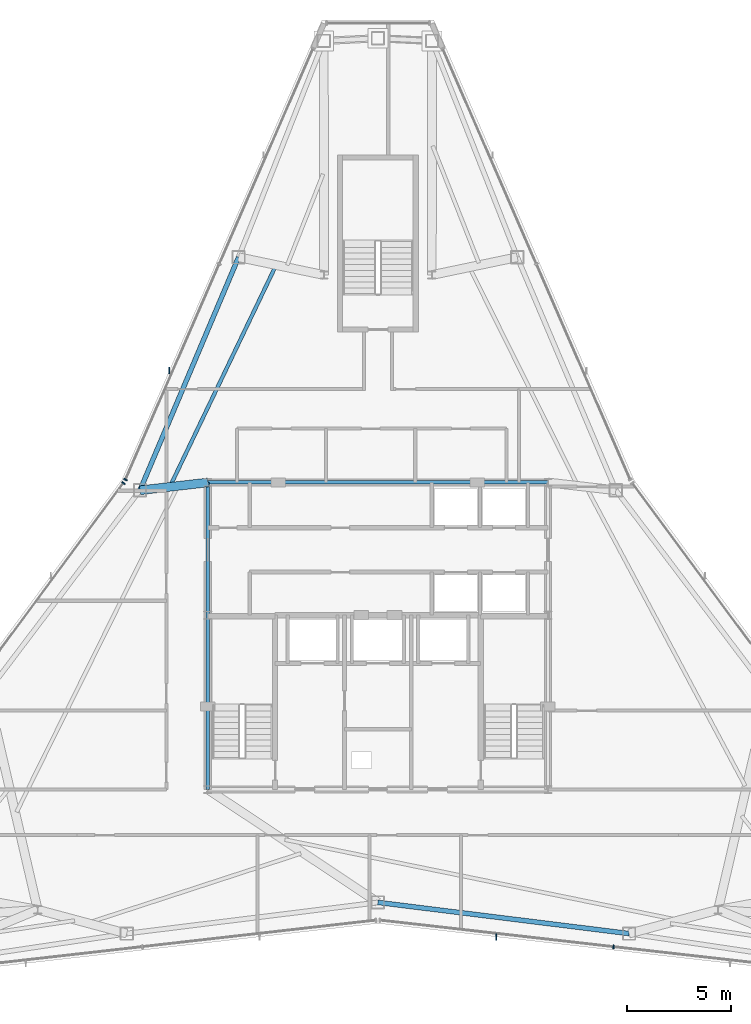
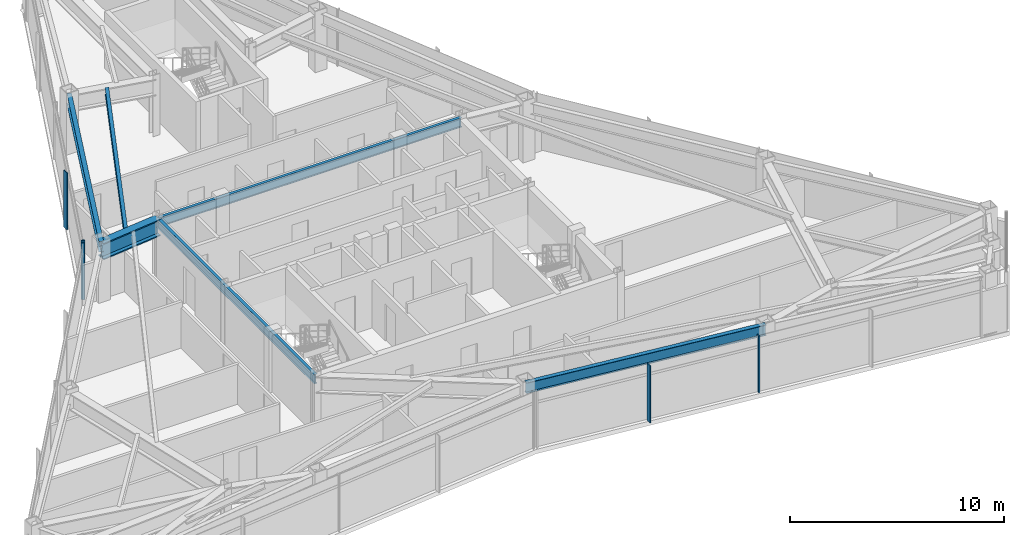
# One storey, part 5 of 12: 6 beams, 5 members, 3 elements without a shape of their own.
"""IFC4 building model written with IfcOpenShell, lengths in metres."""

import ifcopenshell
import ifcopenshell.guid

model = None  # the IFC model being written
_history = None  # IfcOwnerHistory: only IFC2X3 demands one
_inside = {}  # id of a spatial element -> (the spatial element, [elements in it])
_under = {}  # id of a project, library or spatial element -> (it, [spatial elements below it])
_declared = {}  # id of a project -> (the project, [libraries it declares])
_typed = {}  # id of a type object -> (the type object, [elements of that type])
_made_of = {}  # id of a material, layer set ... -> (it, [elements and type objects made of it])


def new_model(schema):
    """Start an empty IFC model of exactly this schema.

    Asked for "IFC4X3", IfcOpenShell would pick the latest addendum, in which some entities
    have other attributes; the version numbers below select the first issue.
    IFC2X3 requires an IfcOwnerHistory on every rooted entity: one is made here for all.
    """
    global model, _history
    if schema == "IFC4X3":
        model = ifcopenshell.file(schema_version=(4, 3, 0, 0))
    else:
        model = ifcopenshell.file(schema=schema)
    _inside.clear()
    _under.clear()
    _declared.clear()
    _typed.clear()
    _made_of.clear()
    _history = None
    if model.schema == "IFC2X3":
        org = make("IfcOrganization", Name="unknown")
        user = make(
            "IfcPersonAndOrganization",
            ThePerson=make("IfcPerson", FamilyName="unknown"),
            TheOrganization=org,
        )
        app = make(
            "IfcApplication",
            ApplicationDeveloper=org,
            Version="unknown",
            ApplicationFullName="unknown",
            ApplicationIdentifier="unknown",
        )
        _history = make(
            "IfcOwnerHistory",
            OwningUser=user,
            OwningApplication=app,
            ChangeAction="ADDED",
            CreationDate=0,
        )
    return model


def make(cls, **values):
    """One entity of the class cls with the attributes given. An attribute that is None is left unset."""
    return model.create_entity(
        cls, **{name: value for name, value in values.items() if value is not None}
    )


def rooted(cls, **values):
    """An entity with a GlobalId (a new one), such as an element, a storey or a relation."""
    return make(cls, GlobalId=ifcopenshell.guid.new(), OwnerHistory=_history, **values)


def si_unit(unit_type, name, prefix=None):
    """IfcSIUnit, for example si_unit("LENGTHUNIT", "METRE", prefix="MILLI")."""
    return make("IfcSIUnit", UnitType=unit_type, Prefix=prefix, Name=name)


def assignment(units):
    """IfcUnitAssignment: the units of a project."""
    return None if units is None else make("IfcUnitAssignment", Units=units)


def point(xyz):
    """IfcCartesianPoint."""
    return None if xyz is None else make("IfcCartesianPoint", Coordinates=xyz)


def direction(xyz):
    """IfcDirection."""
    return None if xyz is None else make("IfcDirection", DirectionRatios=xyz)


def frame(location, z_axis=None, x_axis=None):
    """IfcAxis2Placement3D, a coordinate frame: its origin and axes. An axis left out is left unset."""
    return make(
        "IfcAxis2Placement3D",
        Location=point(location),
        Axis=direction(z_axis),
        RefDirection=direction(x_axis),
    )


def frame_2d(location, x_axis=None):
    """IfcAxis2Placement2D, a coordinate frame in the plane: its origin and x axis."""
    return make(
        "IfcAxis2Placement2D", Location=point(location), RefDirection=direction(x_axis)
    )


def origin():
    """The frame at (0, 0, 0) with its axes left unset."""
    return frame((0.0, 0.0, 0.0))


def origin_2d():
    """The frame at (0, 0) in the plane with its x axis left unset."""
    return frame_2d((0.0, 0.0))


def place(relative_to, where):
    """IfcLocalPlacement: puts the frame where relative to a parent placement (None: the world)."""
    return make(
        "IfcLocalPlacement", PlacementRelTo=relative_to, RelativePlacement=where
    )


def context(
    kind, dimensions, precision=None, world=None, true_north=None, identifier=None
):
    """IfcGeometricRepresentationContext, for example the 3D "Model" context."""
    return make(
        "IfcGeometricRepresentationContext",
        ContextIdentifier=identifier,
        ContextType=kind,
        CoordinateSpaceDimension=dimensions,
        Precision=precision,
        WorldCoordinateSystem=world,
        TrueNorth=true_north,
    )


def subcontext(parent, identifier, kind, view, scale=None):
    """IfcGeometricRepresentationSubContext, for example "Body" below "Model"."""
    return make(
        "IfcGeometricRepresentationSubContext",
        ContextIdentifier=identifier,
        ContextType=kind,
        ParentContext=parent,
        TargetScale=scale,
        TargetView=view,
    )


def project(units=None, contexts=None):
    """IfcProject with its units and contexts."""
    return rooted(
        "IfcProject",
        Name="project",
        RepresentationContexts=contexts,
        UnitsInContext=assignment(units),
    )


def spatial(cls, under=None, at=None, **own):
    """A site, building, storey or space (cls), placed at a placement, below another one or the project."""
    s = rooted(cls, ObjectPlacement=at, **own)
    if under is not None:
        _under.setdefault(under.id(), (under, []))[1].append(s)
    return s


def profile(cls, at=None, kind="AREA", **sizes):
    """A parametric profile (cls). Its sizes go by their IFC names, for example OverallWidth=200.0."""
    return make(cls, ProfileType=kind, Position=at, **sizes)


def rectangle(**sizes):
    """IfcRectangleProfileDef."""
    return profile("IfcRectangleProfileDef", **sizes)


def i_section(**sizes):
    """IfcIShapeProfileDef."""
    return profile("IfcIShapeProfileDef", **sizes)


def extrude(swept, where, along, depth):
    """IfcExtrudedAreaSolid: the profile swept, set in the frame where, extruded along a direction by depth."""
    return make(
        "IfcExtrudedAreaSolid",
        SweptArea=swept,
        Position=where,
        ExtrudedDirection=direction(along),
        Depth=depth,
    )


def shape(context_of_items, identifier, shape_type, items):
    """IfcShapeRepresentation: the items that make up one representation, for example the "Body"."""
    return make(
        "IfcShapeRepresentation",
        ContextOfItems=context_of_items,
        RepresentationIdentifier=identifier,
        RepresentationType=shape_type,
        Items=items,
    )


def source(mapping_origin, context_of_items, identifier, shape_type, items):
    """IfcRepresentationMap: a shape defined once, which mapped items show again and again."""
    return make(
        "IfcRepresentationMap",
        MappingOrigin=mapping_origin,
        MappedRepresentation=shape(context_of_items, identifier, shape_type, items),
    )


def transform(
    local_origin,
    x_axis=None,
    y_axis=None,
    z_axis=None,
    scale=None,
    scale2=None,
    scale3=None,
    uniform=True,
):
    """IfcCartesianTransformationOperator3D, or its non-uniform kind. x_axis, y_axis, z_axis: its Axis1, 2, 3."""
    if uniform:
        return make(
            "IfcCartesianTransformationOperator3D",
            Axis1=direction(x_axis),
            Axis2=direction(y_axis),
            LocalOrigin=point(local_origin),
            Scale=scale,
            Axis3=direction(z_axis),
        )
    return make(
        "IfcCartesianTransformationOperator3DnonUniform",
        Axis1=direction(x_axis),
        Axis2=direction(y_axis),
        LocalOrigin=point(local_origin),
        Scale=scale,
        Axis3=direction(z_axis),
        Scale2=scale2,
        Scale3=scale3,
    )


def mapped(mapping_source, mapping_target):
    """IfcMappedItem: shows the shape of a source again, moved by a transform."""
    return make(
        "IfcMappedItem", MappingSource=mapping_source, MappingTarget=mapping_target
    )


def material(Name=None, Category=None):
    """IfcMaterial."""
    return make("IfcMaterial", Name=Name, Category=Category)


def layer(
    of_material, thickness, ventilated=None, Name=None, Category=None, Priority=None
):
    """IfcMaterialLayer: one layer of a wall or slab, of a material (None: an air gap)."""
    return make(
        "IfcMaterialLayer",
        Material=of_material,
        LayerThickness=thickness,
        IsVentilated=ventilated,
        Name=Name,
        Category=Category,
        Priority=Priority,
    )


def layer_set(layers, Name=None):
    """IfcMaterialLayerSet."""
    return make("IfcMaterialLayerSet", MaterialLayers=layers, LayerSetName=Name)


def material_profile(
    of_material, cross_section, Name=None, Category=None, Priority=None
):
    """IfcMaterialProfile: a cross section and its material."""
    return make(
        "IfcMaterialProfile",
        Name=Name,
        Material=of_material,
        Profile=cross_section,
        Priority=Priority,
        Category=Category,
    )


def profile_set(profiles, Name=None, composite=None):
    """IfcMaterialProfileSet."""
    return make(
        "IfcMaterialProfileSet",
        Name=Name,
        MaterialProfiles=profiles,
        CompositeProfile=composite,
    )


def made_of(thing, what):
    """Note that an element or type object is made of a material, layer set ...; save() writes the relation."""
    if what is not None:
        _made_of.setdefault(what.id(), (what, []))[1].append(thing)
    return thing


def type_object(cls, material=None, **own):
    """A type object (cls), such as IfcWallType, which elements share."""
    return made_of(rooted(cls, **own), material)


def type_shapes(of_type, sources):
    """Give a type object the sources (RepresentationMaps) that its elements show as mapped items."""
    of_type.RepresentationMaps = sources


def element(
    cls,
    number,
    at=None,
    inside=None,
    cuts=None,
    type_object=None,
    material=None,
    context=None,
    identifier="Body",
    shape_type=None,
    held_by="IfcProductDefinitionShape",
    body=None,
    shapes=None,
    **own,
):
    """One element of the class cls, such as IfcWall. Its Tag is "e" and its number.

    at: its placement. inside: the storey or other place that contains it. cuts: it is an
    opening in that element (IfcRelVoidsElement). A single representation is given by context,
    identifier, shape_type and body (its items); several are given by shapes. held_by: the class
    of the entity that holds the representations. save() writes the other relations.
    """
    e = rooted(cls, Tag="e%d" % number, ObjectPlacement=at, **own)
    if body is not None:
        shapes = [shape(context, identifier, shape_type, body)]
    if shapes is not None:
        e.Representation = make(held_by, Representations=shapes)
    if inside is not None:
        _inside.setdefault(inside.id(), (inside, []))[1].append(e)
    if cuts is not None:
        rooted(
            "IfcRelVoidsElement", RelatingBuildingElement=cuts, RelatedOpeningElement=e
        )
    if type_object is not None:
        _typed.setdefault(type_object.id(), (type_object, []))[1].append(e)
    return made_of(e, material)


def aggregate(whole, parts):
    """IfcRelAggregates: a whole, such as a stair, and the parts it consists of."""
    return rooted("IfcRelAggregates", RelatingObject=whole, RelatedObjects=parts)


def save(model, path):
    """Write the relations noted so far, then the file.

    IfcRelAggregates (storeys below a building ...), IfcRelContainedInSpatialStructure (elements
    in a storey), IfcRelDefinesByType, IfcRelAssociatesMaterial and IfcRelDeclares: one each for
    every whole, place, type object, material and project.
    """
    for whole, parts in _under.values():
        aggregate(whole, parts)
    for where, things in _inside.values():
        rooted(
            "IfcRelContainedInSpatialStructure",
            RelatedElements=things,
            RelatingStructure=where,
        )
    for kind, things in _typed.values():
        rooted("IfcRelDefinesByType", RelatedObjects=things, RelatingType=kind)
    for what, things in _made_of.values():
        rooted("IfcRelAssociatesMaterial", RelatedObjects=things, RelatingMaterial=what)
    for by, libraries in _declared.values():
        rooted("IfcRelDeclares", RelatingContext=by, RelatedDefinitions=libraries)
    model.write(path)


model = new_model("IFC4")

# Units and contexts
model_context = context("Model", 3, precision=1e-05, world=origin(), true_north=direction((0.0, 1.0)))
body_context = subcontext(model_context, "Body", "Model", "MODEL_VIEW")
ifc_project = project(units=[si_unit("LENGTHUNIT", "METRE"), si_unit("AREAUNIT", "SQUARE_METRE"), si_unit("VOLUMEUNIT", "CUBIC_METRE"), si_unit("PLANEANGLEUNIT", "RADIAN"), si_unit("MASSUNIT", "GRAM", prefix="KILO")], contexts=[model_context])

# Site, building, storey
site_placement = place(None, origin())
site = spatial("IfcSite", under=ifc_project, at=site_placement, CompositionType="ELEMENT")
building_placement = place(site_placement, origin())
building = spatial("IfcBuilding", under=site, at=building_placement, Name="Varakhsha Concourse Tower", CompositionType="ELEMENT")
storey_placement = place(building_placement, frame((0.0, 0.0, 276.0)))
storey = spatial("IfcBuildingStorey", under=building, at=storey_placement, Name="L78", CompositionType="ELEMENT", Elevation=276.0)

# Beams
ifc_material_1 = material(Name="Structural Steel ASTM A992 Grade 50", Category="steel")
ifc_material_profile_1 = material_profile(ifc_material_1, i_section(OverallWidth=0.177978515625, OverallDepth=0.406982421875, WebThickness=0.008056640625, FlangeThickness=0.012939453125, at=origin_2d()), Name="W16X40")
ifc_profile_set_1 = profile_set([ifc_material_profile_1], Name="Structural Steel ASTM A992 Grade 50")
beam_type_1 = type_object("IfcBeamType", Name="BM-JST-W16X40", PredefinedType="JOIST", material=ifc_profile_set_1)
beam_1_placement = place(storey_placement, frame((35.046875, 41.58349609375, 3.04638671875), z_axis=(-0.432292540768, -0.901733419141, 0.0), x_axis=(0.901733419141, -0.432292540768, 0.0)))
element("IfcBeam", 1, at=beam_1_placement, inside=storey, type_object=beam_type_1, Name="BM-TJST-L78-04", PredefinedType="JOIST", context=body_context, shape_type="SweptSolid", body=[
    extrude(i_section(OverallWidth=0.177978515625, OverallDepth=0.406982421875, WebThickness=0.008056640625, FlangeThickness=0.012939453125, at=origin_2d()), origin(), (0.0, 0.0, 1.0), 11.63916015625),
])
ifc_material_profile_2 = material_profile(ifc_material_1, i_section(OverallWidth=0.423095703125, OverallDepth=0.947998046875, WebThickness=0.0380859375, FlangeThickness=0.06396484375, at=origin_2d()), Name="W36X302")
ifc_profile_set_2 = profile_set([ifc_material_profile_2], Name="Structural Steel ASTM A992 Grade 50")
beam_type_2 = type_object("IfcBeamType", Name="BM-OUTR-W36X302", PredefinedType="USERDEFINED", material=ifc_profile_set_2)
beam_2_placement = place(storey_placement, frame((31.800048828125, 31.199951171875, 2.77587890625), z_axis=(-0.993437473309, -0.114376512559, 0.0), x_axis=(0.114376512559, -0.993437473309, 0.0)))
element("IfcBeam", 2, at=beam_2_placement, inside=storey, type_object=beam_type_2, Name="L78 Radial Floor Girder 05", ObjectType="GIRDER", PredefinedType="USERDEFINED", context=body_context, shape_type="SweptSolid", body=[
    extrude(i_section(OverallWidth=0.423095703125, OverallDepth=0.947998046875, WebThickness=0.0380859375, FlangeThickness=0.06396484375, at=origin_2d()), origin(), (0.0, 0.0, 1.0), 3.293701171875),
])
ifc_material_profile_3 = material_profile(ifc_material_1, i_section(OverallWidth=0.1669921875, OverallDepth=0.534912109375, WebThickness=0.010009765625, FlangeThickness=0.01708984375, at=origin_2d()), Name="W21X57")
ifc_profile_set_3 = profile_set([ifc_material_profile_3], Name="Structural Steel ASTM A992 Grade 50")
beam_type_3 = type_object("IfcBeamType", Name="BM-RAD-W21X57", PredefinedType="BEAM", material=ifc_profile_set_3)
beam_3_placement = place(storey_placement, frame((31.800048828125, 31.199951171875, 2.982421875), z_axis=(1.0, 0.0, 0.0), x_axis=(0.0, 1.0, 0.0)))
element("IfcBeam", 3, at=beam_3_placement, inside=storey, type_object=beam_type_3, Name="BM-TCORE-L78-CN", PredefinedType="BEAM", context=body_context, shape_type="SweptSolid", body=[
    extrude(i_section(OverallWidth=0.1669921875, OverallDepth=0.534912109375, WebThickness=0.010009765625, FlangeThickness=0.01708984375, at=origin_2d()), origin(), (0.0, 0.0, 1.0), 16.39990234375),
])
beam_4_placement = place(storey_placement, frame((31.800048828125, 16.39990234375, 2.982421875), z_axis=(0.0, 1.0, 0.0), x_axis=(-1.0, 0.0, 0.0)))
element("IfcBeam", 4, at=beam_4_placement, inside=storey, type_object=beam_type_3, Name="BM-TCORE-L78-CW", PredefinedType="BEAM", context=body_context, shape_type="SweptSolid", body=[
    extrude(i_section(OverallWidth=0.1669921875, OverallDepth=0.534912109375, WebThickness=0.010009765625, FlangeThickness=0.01708984375, at=origin_2d()), origin(), (0.0, 0.0, 1.0), 14.800048828125),
])
ifc_material_profile_4 = material_profile(ifc_material_1, i_section(OverallWidth=0.22900390625, OverallDepth=0.612060546875, WebThickness=0.011962890625, FlangeThickness=0.02001953125, at=origin_2d()), Name="W24X84")
ifc_profile_set_4 = profile_set([ifc_material_profile_4], Name="Structural Steel ASTM A992 Grade 50")
beam_type_4 = type_object("IfcBeamType", Name="BM-SPAN-W24X84", PredefinedType="SPANDREL", material=ifc_profile_set_4)
beam_5_placement = place(storey_placement, frame((33.28271484375, 42.06201171875, 2.944091796875), z_axis=(-0.389624327062, -0.920973877893, 0.0), x_axis=(0.920973877893, -0.389624327062, 0.0)))
element("IfcBeam", 5, at=beam_5_placement, inside=storey, type_object=beam_type_4, Name="BM-SPAN-L78-04", PredefinedType="SPANDREL", context=body_context, shape_type="SweptSolid", body=[
    extrude(i_section(OverallWidth=0.22900390625, OverallDepth=0.612060546875, WebThickness=0.011962890625, FlangeThickness=0.02001953125, at=origin_2d()), origin(), (0.0, 0.0, 1.0), 12.203125),
])
beam_6_placement = place(storey_placement, frame((40.0, 10.953369140625, 2.944091796875), z_axis=(0.992398980009, -0.123062035079, 0.0), x_axis=(0.123062035079, 0.992398980009, 0.0)))
element("IfcBeam", 6, at=beam_6_placement, inside=storey, type_object=beam_type_4, Name="BM-SPAN-L78-11", PredefinedType="SPANDREL", context=body_context, shape_type="SweptSolid", body=[
    extrude(i_section(OverallWidth=0.22900390625, OverallDepth=0.612060546875, WebThickness=0.011962890625, FlangeThickness=0.02001953125, at=origin_2d()), origin(), (0.0, 0.0, 1.0), 12.202880859375),
])

# Curtain wall, member
ifc_material_2 = material(Name="Anodised Bronze Architectural Aluminium AA 6063-T6", Category="aluminium")
ifc_layer = layer(ifc_material_2, 0.199951171875, Name="CW-SYS-05")
ifc_layer_set = layer_set([ifc_layer], Name="Anodised Bronze Architectural Aluminium AA 6063-T6")
curtain_wall_type = type_object("IfcCurtainWallType", Name="CW-SYS-05", PredefinedType="NOTDEFINED", material=ifc_layer_set)
curtain_wall_1_placement = place(storey_placement, origin())
curtain_wall_1 = element("IfcCurtainWall", 7, at=curtain_wall_1_placement, inside=storey, type_object=curtain_wall_type, Name="L78 Crystal Curtain Wall F2", PredefinedType="NOTDEFINED")
ifc_material_profile_5 = material_profile(ifc_material_2, rectangle(XDim=0.06494140625, YDim=0.179931640625, at=origin_2d()), Name="CWM-180X65")
ifc_profile_set_5 = profile_set([ifc_material_profile_5], Name="Anodised Bronze Architectural Aluminium AA 6063-T6")
member_type_1 = type_object("IfcMemberType", Name="CWM-180X65", PredefinedType="MULLION", material=ifc_profile_set_5)
shared_shape_1 = source(origin(), body_context, "Body", "SweptSolid", [
    extrude(rectangle(XDim=0.06494140625, YDim=0.179931640625, at=origin_2d()), origin(), (0.0, 0.0, 1.0), 3.25),
])
type_shapes(member_type_1, [shared_shape_1])
member_1_placement = place(storey_placement, frame((27.830322265625, 31.3388671875, 0.0), z_axis=(0.0, 0.0, 1.0), x_axis=(0.39908356189, 0.916914560158, 0.0)))
member_1 = element("IfcMember", 8, at=member_1_placement, type_object=member_type_1, Name="CW-L78-F2 Mullion 00", PredefinedType="MULLION", context=body_context, shape_type="MappedRepresentation", body=[
    mapped(shared_shape_1, transform((0.0, 0.0, 0.0), scale=1.0)),
])

curtain_wall_2_placement = place(storey_placement, origin())
curtain_wall_2 = element("IfcCurtainWall", 9, at=curtain_wall_2_placement, inside=storey, type_object=curtain_wall_type, Name="L78 Crystal Curtain Wall F3", PredefinedType="NOTDEFINED")
member_2_placement = place(storey_placement, frame((27.73291015625, 31.169921875, 0.0), z_axis=(0.0, 0.0, 1.0), x_axis=(0.594533731364, 0.804070669948, 0.0)))
member_2 = element("IfcMember", 10, at=member_2_placement, type_object=member_type_1, Name="CW-L78-F3 Mullion 02", PredefinedType="MULLION", context=body_context, shape_type="MappedRepresentation", body=[
    mapped(shared_shape_1, transform((0.0, 0.0, 0.0), scale=1.0)),
])
aggregate(curtain_wall_2, [member_2])

curtain_wall_3_placement = place(storey_placement, origin())
curtain_wall_3 = element("IfcCurtainWall", 11, at=curtain_wall_3_placement, inside=storey, type_object=curtain_wall_type, Name="L78 Crystal Curtain Wall F6", PredefinedType="NOTDEFINED")
member_3_placement = place(storey_placement, frame((51.36328125, 8.81201171875, 0.0), z_axis=(0.0, 0.0, 1.0), x_axis=(-0.993612689247, 0.112844245613, 0.0)))
member_3 = element("IfcMember", 12, at=member_3_placement, type_object=member_type_1, Name="CW-L78-F6 Mullion 01", PredefinedType="MULLION", context=body_context, shape_type="MappedRepresentation", body=[
    mapped(shared_shape_1, transform((0.0, 0.0, 0.0), scale=1.0)),
])

# Member
ifc_material_profile_6 = material_profile(ifc_material_2, rectangle(XDim=0.054931640625, YDim=0.300048828125, at=origin_2d()), Name="FIN-BRZ-300")
ifc_profile_set_6 = profile_set([ifc_material_profile_6], Name="Anodised Bronze Architectural Aluminium AA 6063-T6")
member_type_2 = type_object("IfcMemberType", Name="FIN-BRZ-300", PredefinedType="USERDEFINED", material=ifc_profile_set_6)
shared_shape_2 = source(origin(), body_context, "Body", "SweptSolid", [
    extrude(rectangle(XDim=0.054931640625, YDim=0.300048828125, at=origin_2d()), origin(), (0.0, 0.0, 1.0), 3.25),
])
type_shapes(member_type_2, [shared_shape_2])
member_4_placement = place(storey_placement, frame((29.94140625, 36.602783203125, 0.0), z_axis=(0.0, 0.0, 1.0), x_axis=(1.0, 0.0, 0.0)))
member_4 = element("IfcMember", 13, at=member_4_placement, type_object=member_type_2, Name="L78 Anodised Bronze Solar Fin F2-1", ObjectType="SOLAR FIN", PredefinedType="USERDEFINED", context=body_context, shape_type="MappedRepresentation", body=[
    mapped(shared_shape_2, transform((0.0, 0.0, 0.0), scale=1.0)),
])

aggregate(curtain_wall_1, [member_1, member_4])

member_5_placement = place(storey_placement, frame((45.711669921875, 9.28759765625, 0.0), z_axis=(0.0, 0.0, 1.0), x_axis=(1.0, 0.0, 0.0)))
member_5 = element("IfcMember", 14, at=member_5_placement, type_object=member_type_2, Name="L78 Anodised Bronze Solar Fin F6-2", ObjectType="SOLAR FIN", PredefinedType="USERDEFINED", context=body_context, shape_type="MappedRepresentation", body=[
    mapped(shared_shape_2, transform((0.0, 0.0, 0.0), scale=1.0)),
])

aggregate(curtain_wall_3, [member_3, member_5])

save(model, "model.ifc")
